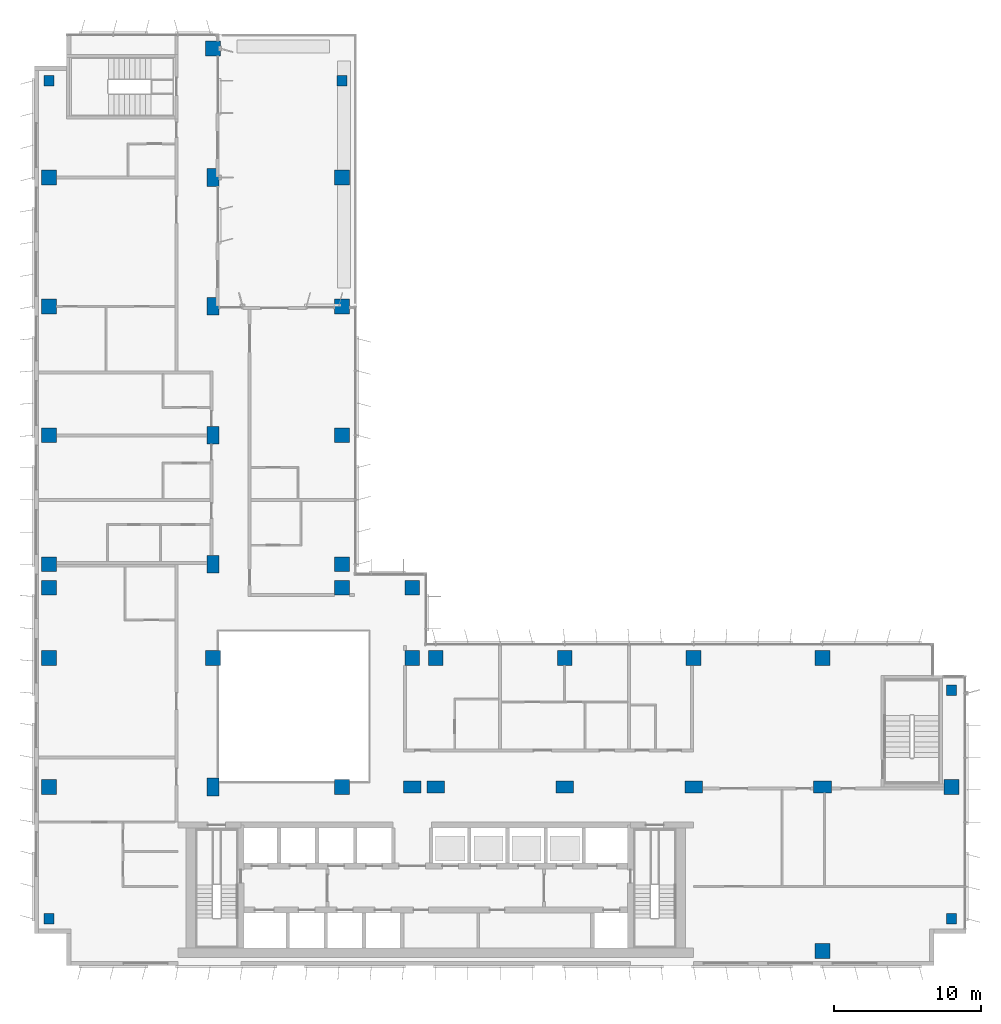
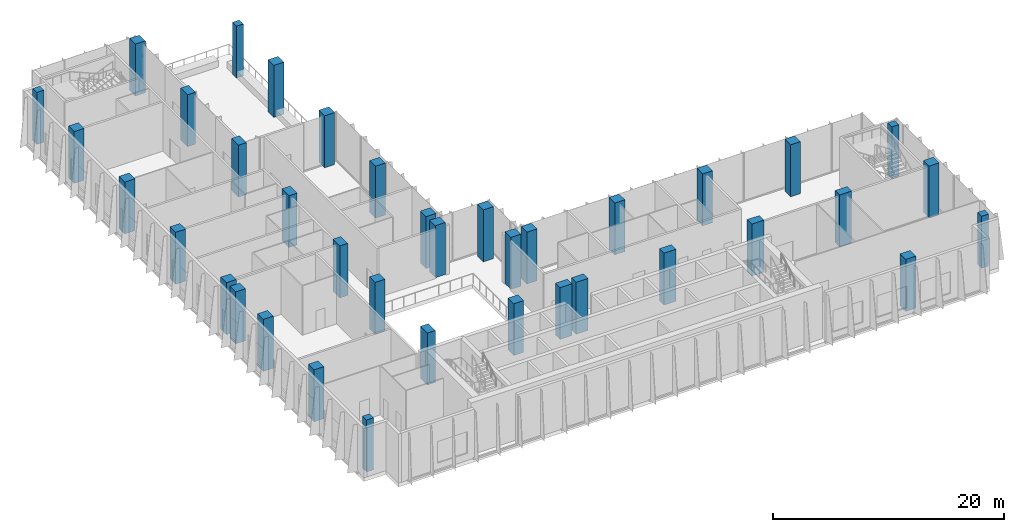
# One storey, part 1 of 24: 38 columns.
"""IFC4 building model written with IfcOpenShell, lengths in metres."""

from ifc_helpers import new_model, si_unit, direction, frame, origin, origin_2d, place, context, subcontext, project, spatial, rectangle, extrude, material, material_profile, profile_set, type_object, element, save


model = new_model("IFC4")

# Units and contexts
model_context = context("Model", 3, precision=1e-05, world=origin(), true_north=direction((0.0, 1.0)))
body_context = subcontext(model_context, "Body", "Model", "MODEL_VIEW")
ifc_project = project(units=[si_unit("LENGTHUNIT", "METRE"), si_unit("AREAUNIT", "SQUARE_METRE"), si_unit("VOLUMEUNIT", "CUBIC_METRE"), si_unit("PLANEANGLEUNIT", "RADIAN"), si_unit("MASSUNIT", "GRAM", prefix="KILO")], contexts=[model_context])

# Site, building, storey
site_placement = place(None, origin())
site = spatial("IfcSite", under=ifc_project, at=site_placement, CompositionType="ELEMENT")
building_placement = place(site_placement, origin())
building = spatial("IfcBuilding", under=site, at=building_placement, Name="Kemantara Hotel Tower", CompositionType="ELEMENT")
storey_placement = place(building_placement, frame((0.0, 0.0, 202.5)))
storey = spatial("IfcBuildingStorey", under=building, at=storey_placement, Name="L50", CompositionType="ELEMENT", Elevation=202.5)

# Columns
ifc_material = material(Name="Concrete fc 60 MPa", Category="concrete")
ifc_material_profile_1 = material_profile(ifc_material, rectangle(XDim=1.0, YDim=1.0, at=origin_2d()), Name="RC 1000X1000")
ifc_profile_set_1 = profile_set([ifc_material_profile_1], Name="Concrete fc 60 MPa")
column_type_1 = type_object("IfcColumnType", Name="RC COLUMN 1000X1000 FC60", PredefinedType="COLUMN", material=ifc_profile_set_1)
for number, where, z_axis, x_axis, name in (
    (1, (1.0, 12.199951171875, 0.0), (0.0, 0.0, 1.0), (1.0, 0.0, 0.0), "COLUMN 1/BA L50"),
    (2, (1.0, 21.0, 0.0), (0.0, 0.0, 1.0), (1.0, 0.0, 0.0), "COLUMN 1/C L50"),
    (3, (1.0, 25.800048828125, 0.0), (0.0, 0.0, 1.0), (1.0, 0.0, 0.0), "COLUMN 1/CA L50"),
    (4, (1.0, 27.39990234375, 0.0), (0.0, 0.0, 1.0), (1.0, 0.0, 0.0), "COLUMN 1/D L50"),
    (5, (1.0, 36.199951171875, 0.0), (0.0, 0.0, 1.0), (1.0, 0.0, 0.0), "COLUMN 1/E L50"),
    (6, (1.0, 45.0, 0.0), (0.0, 0.0, 1.0), (1.0, 0.0, 0.0), "COLUMN 1/F L50"),
    (7, (1.0, 53.800048828125, 0.0), (0.0, 0.0, 1.0), (1.0, 0.0, 0.0), "COLUMN 1/G L50"),
    (8, (12.199951171875, 21.0, 0.0), (0.0, 0.0, 1.0), (1.0, 0.0, 0.0), "COLUMN 2A/C L50"),
    (9, (12.199951171875, 62.60009765625, 0.0), (0.0, 0.0, 1.0), (1.0, 0.0, 0.0), "COLUMN 2A/H L50"),
    (10, (21.0, 12.199951171875, 0.0), (0.0, 0.0, 1.0), (1.0, 0.0, 0.0), "COLUMN 3/BA L50"),
    (11, (21.0, 25.800048828125, 0.0), (0.0, 0.0, 1.0), (1.0, 0.0, 0.0), "COLUMN 3/CA L50"),
    (12, (21.0, 27.39990234375, 0.0), (0.0, 0.0, 1.0), (1.0, 0.0, 0.0), "COLUMN 3/D L50"),
    (13, (21.0, 36.199951171875, 0.0), (0.0, 0.0, 1.0), (1.0, 0.0, 0.0), "COLUMN 3/E L50"),
    (14, (21.0, 45.0, 0.0), (0.0, 0.0, 1.0), (1.0, 0.0, 0.0), "COLUMN 3/F L50"),
    (15, (21.0, 53.800048828125, 0.0), (0.0, 0.0, 1.0), (1.0, 0.0, 0.0), "COLUMN 3/G L50"),
    (16, (25.800048828125, 21.0, 0.0), (0.0, 0.0, 1.0), (1.0, 0.0, 0.0), "COLUMN 3A/C L50"),
    (17, (25.800048828125, 25.800048828125, 0.0), (0.0, 0.0, 1.0), (1.0, 0.0, 0.0), "COLUMN 3A/CA L50"),
    (18, (27.39990234375, 21.0, 0.0), (0.0, 0.0, 1.0), (1.0, 0.0, 0.0), "COLUMN 4/C L50"),
    (19, (36.199951171875, 21.0, 0.0), (0.0, 0.0, 1.0), (1.0, 0.0, 0.0), "COLUMN 5/C L50"),
    (20, (45.0, 21.0, 0.0), (0.0, 0.0, 1.0), (1.0, 0.0, 0.0), "COLUMN 6/C L50"),
    (21, (53.800048828125, 1.0, 0.0), (0.0, 0.0, 1.0), (1.0, 0.0, 0.0), "COLUMN 7/A L50"),
    (22, (53.800048828125, 21.0, 0.0), (0.0, 0.0, 1.0), (1.0, 0.0, 0.0), "COLUMN 7/C L50"),
    (23, (62.60009765625, 12.199951171875, 0.0), (0.0, 0.0, 1.0), (1.0, 0.0, 0.0), "COLUMN 8/BA L50"),
):
    element("IfcColumn", number, at=place(storey_placement, frame(where, z_axis=z_axis, x_axis=x_axis)), inside=storey, type_object=column_type_1, Name=name, PredefinedType="COLUMN", context=body_context, shape_type="SweptSolid", body=[
        extrude(rectangle(XDim=1.0, YDim=1.0, at=origin_2d()), origin(), (0.0, 0.0, 1.0), 5.5),
    ])
ifc_material_profile_2 = material_profile(ifc_material, rectangle(XDim=1.199951171875, YDim=0.800048828125, at=origin_2d()), Name="RC 1200X800")
ifc_profile_set_2 = profile_set([ifc_material_profile_2], Name="Concrete fc 60 MPa")
column_type_2 = type_object("IfcColumnType", Name="RC COLUMN 1200X800 FC60", PredefinedType="COLUMN", material=ifc_profile_set_2)
for number, where, z_axis, x_axis, name in (
    (24, (12.199951171875, 12.199951171875, 0.0), (0.0, 0.0, 1.0), (0.0, 1.0, 0.0), "COLUMN 2A/BA L50"),
    (25, (12.199951171875, 27.39990234375, 0.0), (0.0, 0.0, 1.0), (0.0, 1.0, 0.0), "COLUMN 2A/D L50"),
    (26, (12.199951171875, 36.199951171875, 0.0), (0.0, 0.0, 1.0), (0.0, 1.0, 0.0), "COLUMN 2A/E L50"),
    (27, (12.199951171875, 45.0, 0.0), (0.0, 0.0, 1.0), (0.0, 1.0, 0.0), "COLUMN 2A/F L50"),
    (28, (12.199951171875, 53.800048828125, 0.0), (0.0, 0.0, 1.0), (0.0, 1.0, 0.0), "COLUMN 2A/G L50"),
    (29, (25.800048828125, 12.199951171875, 0.0), (0.0, 0.0, 1.0), (1.0, 0.0, 0.0), "COLUMN 3A/BA L50"),
    (30, (27.39990234375, 12.199951171875, 0.0), (0.0, 0.0, 1.0), (1.0, 0.0, 0.0), "COLUMN 4/BA L50"),
    (31, (36.199951171875, 12.199951171875, 0.0), (0.0, 0.0, 1.0), (1.0, 0.0, 0.0), "COLUMN 5/BA L50"),
    (32, (45.0, 12.199951171875, 0.0), (0.0, 0.0, 1.0), (1.0, 0.0, 0.0), "COLUMN 6/BA L50"),
    (33, (53.800048828125, 12.199951171875, 0.0), (0.0, 0.0, 1.0), (1.0, 0.0, 0.0), "COLUMN 7/BA L50"),
):
    element("IfcColumn", number, at=place(storey_placement, frame(where, z_axis=z_axis, x_axis=x_axis)), inside=storey, type_object=column_type_2, Name=name, PredefinedType="COLUMN", context=body_context, shape_type="SweptSolid", body=[
        extrude(rectangle(XDim=1.199951171875, YDim=0.800048828125, at=origin_2d()), origin(), (0.0, 0.0, 1.0), 5.5),
    ])
ifc_material_profile_3 = material_profile(ifc_material, rectangle(XDim=0.699951171875, YDim=0.699951171875, at=origin_2d()), Name="RC 700X700")
ifc_profile_set_3 = profile_set([ifc_material_profile_3], Name="Concrete fc 60 MPa")
column_type_3 = type_object("IfcColumnType", Name="RC COLUMN 700X700 FC60", PredefinedType="COLUMN", material=ifc_profile_set_3)
for number, where, z_axis, x_axis, name in (
    (34, (1.0, 3.199951171875, 0.0), (0.0, 0.0, 1.0), (1.0, 0.0, 0.0), "COLUMN notch corner L50"),
    (35, (1.0, 60.39990234375, 0.0), (0.0, 0.0, 1.0), (1.0, 0.0, 0.0), "COLUMN notch corner L50"),
    (36, (21.0, 60.39990234375, 0.0), (0.0, 0.0, 1.0), (1.0, 0.0, 0.0), "COLUMN notch corner L50"),
    (37, (62.60009765625, 3.199951171875, 0.0), (0.0, 0.0, 1.0), (1.0, 0.0, 0.0), "COLUMN notch corner L50"),
    (38, (62.60009765625, 18.800048828125, 0.0), (0.0, 0.0, 1.0), (1.0, 0.0, 0.0), "COLUMN notch corner L50"),
):
    element("IfcColumn", number, at=place(storey_placement, frame(where, z_axis=z_axis, x_axis=x_axis)), inside=storey, type_object=column_type_3, Name=name, PredefinedType="COLUMN", context=body_context, shape_type="SweptSolid", body=[
        extrude(rectangle(XDim=0.699951171875, YDim=0.699951171875, at=origin_2d()), origin(), (0.0, 0.0, 1.0), 5.5),
    ])

save(model, "model.ifc")
